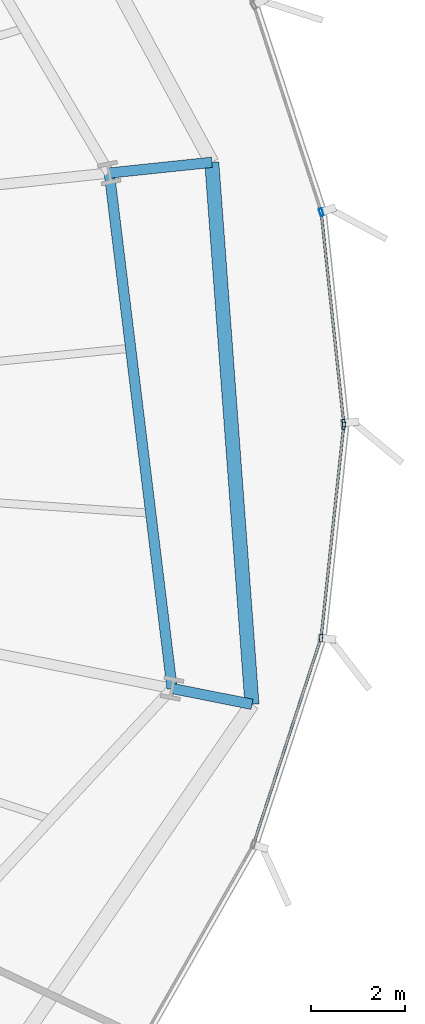
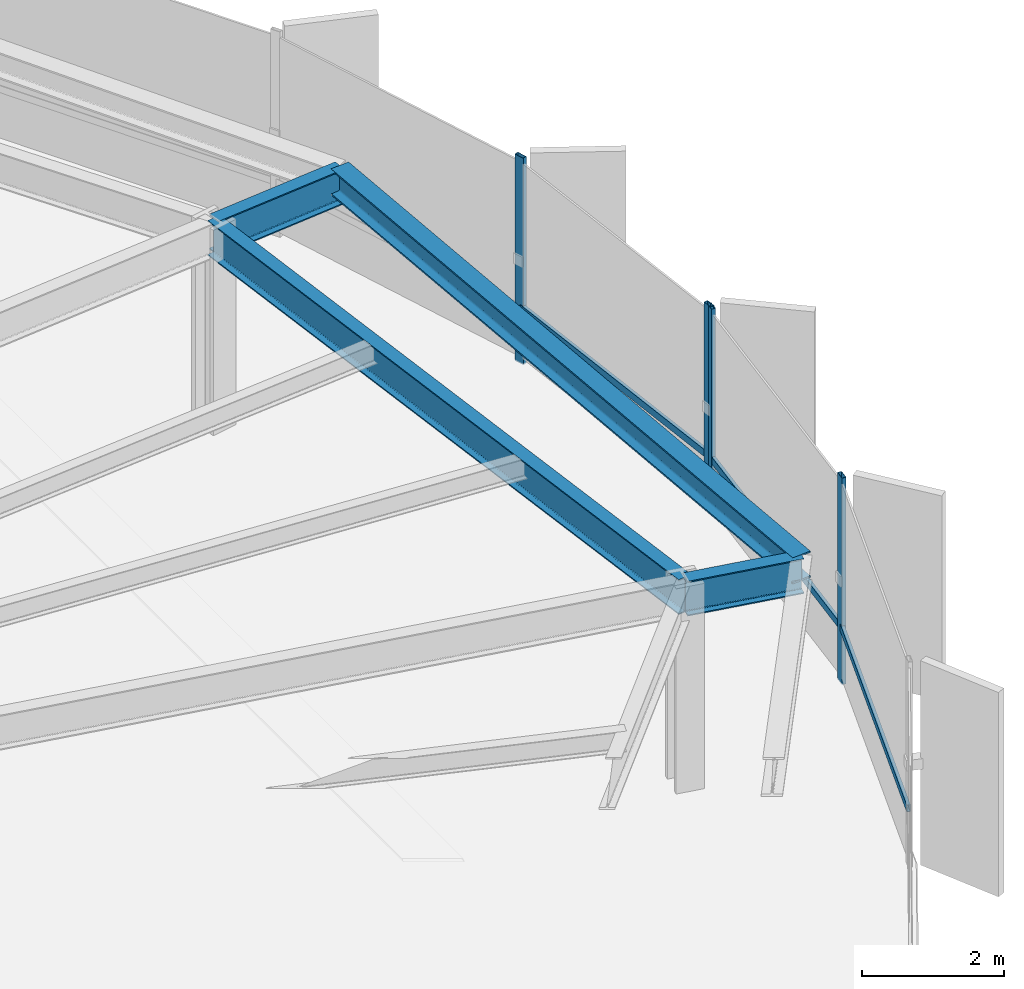
# One storey, part 24 of 38: 7 members, 4 beams, 2 elements without a shape of their own.
"""IFC4 building model written with IfcOpenShell, lengths in metres."""

from ifc_helpers import new_model, si_unit, direction, frame, origin, origin_2d, place, context, subcontext, project, spatial, hollow_rectangle, i_section, extrude, source, transform, mapped, material, layer, layer_set, material_profile, profile_set, type_object, element, aggregate, save


model = new_model("IFC4")

# Units and contexts
model_context = context("Model", 3, precision=1e-05, world=origin(), true_north=direction((0.0, 1.0)))
body_context = subcontext(model_context, "Body", "Model", "MODEL_VIEW")
ifc_project = project(units=[si_unit("LENGTHUNIT", "METRE"), si_unit("AREAUNIT", "SQUARE_METRE"), si_unit("VOLUMEUNIT", "CUBIC_METRE"), si_unit("PLANEANGLEUNIT", "RADIAN"), si_unit("MASSUNIT", "GRAM", prefix="KILO"), si_unit("THERMODYNAMICTEMPERATUREUNIT", "KELVIN")], contexts=[model_context])

# Site, building, storey
site_placement = place(None, origin())
site = spatial("IfcSite", under=ifc_project, at=site_placement, CompositionType="ELEMENT")
building_placement = place(site_placement, origin())
building = spatial("IfcBuilding", under=site, at=building_placement, Name="Kethvar Cultural Tower", CompositionType="ELEMENT")
storey_placement = place(building_placement, frame((0.0, 0.0, 29.60009765625)))
storey = spatial("IfcBuildingStorey", under=building, at=storey_placement, Name="L06", CompositionType="ELEMENT", Elevation=29.60009765625)

# Beams
ifc_material_1 = material(Name="Steel S355J2", Category="steel")
ifc_material_profile_1 = material_profile(ifc_material_1, i_section(OverallWidth=0.219970703125, OverallDepth=0.60009765625, WebThickness=0.011962890625, FlangeThickness=0.01904296875, FilletRadius=0.02392578125, at=origin_2d()), Name="Steel S355J2 — IPE600")
ifc_profile_set_1 = profile_set([ifc_material_profile_1], Name="Steel S355J2 — IPE600")
beam_type_1 = type_object("IfcBeamType", Name="BM-IPE600", PredefinedType="BEAM", material=ifc_profile_set_1)
shared_shape_1 = source(origin(), body_context, "Body", "SweptSolid", [
    extrude(i_section(OverallWidth=0.219970703125, OverallDepth=0.60009765625, WebThickness=0.011962890625, FlangeThickness=0.01904296875, FilletRadius=0.02392578125, at=origin_2d()), origin(), (0.0, 0.0, 1.0), 2.189453125),
])
beam_1_placement = place(storey_placement, frame((73.65673828125, 33.14208984375, 3.247802734375), z_axis=(0.994549966303, 0.104261040307, 0.0), x_axis=(-0.104261040307, 0.994549966303, 0.0)))
element("IfcBeam", 1, at=beam_1_placement, inside=storey, type_object=beam_type_1, Name="L06 Perimeter Cantilever Beam RC-01", PredefinedType="BEAM", context=body_context, shape_type="MappedRepresentation", body=[
    mapped(shared_shape_1, transform((0.0, 0.0, 0.0), scale=1.0)),
])
shared_shape_2 = source(origin(), body_context, "Body", "SweptSolid", [
    extrude(i_section(OverallWidth=0.219970703125, OverallDepth=0.60009765625, WebThickness=0.011962890625, FlangeThickness=0.01904296875, FilletRadius=0.02392578125, at=origin_2d()), origin(), (0.0, 0.0, 1.0), 1.72998046875),
])
beam_2_placement = place(storey_placement, frame((74.9912109375, 22.1923828125, 3.247802734375), z_axis=(0.98079718542, -0.195030461907, 0.0), x_axis=(0.195030461907, 0.98079718542, 0.0)))
element("IfcBeam", 2, at=beam_2_placement, inside=storey, type_object=beam_type_1, Name="L06 Perimeter Cantilever Beam RC-16", PredefinedType="BEAM", context=body_context, shape_type="MappedRepresentation", body=[
    mapped(shared_shape_2, transform((0.0, 0.0, 0.0), scale=1.0)),
])
shared_shape_3 = source(origin(), body_context, "Body", "SweptSolid", [
    extrude(i_section(OverallWidth=0.219970703125, OverallDepth=0.60009765625, WebThickness=0.011962890625, FlangeThickness=0.01904296875, FilletRadius=0.02392578125, at=origin_2d()), origin(), (0.0, 0.0, 1.0), 11.03076171875),
])
beam_3_placement = place(storey_placement, frame((74.9912109375, 22.1923828125, 3.247802734375), z_axis=(-0.120977779442, 0.992655215511, 0.0), x_axis=(-0.992655215511, -0.120977779442, 0.0)))
element("IfcBeam", 3, at=beam_3_placement, inside=storey, type_object=beam_type_1, Name="L06 Column Ring Tie Beam CR-16", PredefinedType="BEAM", context=body_context, shape_type="MappedRepresentation", body=[
    mapped(shared_shape_3, transform((0.0, 0.0, 0.0), scale=1.0)),
])
ifc_material_profile_2 = material_profile(ifc_material_1, i_section(OverallWidth=0.300048828125, OverallDepth=0.449951171875, WebThickness=0.013916015625, FlangeThickness=0.02587890625, FilletRadius=0.027099609375, at=origin_2d()), Name="Steel S355J2 — HEB450")
ifc_profile_set_2 = profile_set([ifc_material_profile_2], Name="Steel S355J2 — HEB450")
beam_type_2 = type_object("IfcBeamType", Name="BM-SP450", PredefinedType="SPANDREL", material=ifc_profile_set_2)
shared_shape_4 = source(origin(), body_context, "Body", "SweptSolid", [
    extrude(i_section(OverallWidth=0.300048828125, OverallDepth=0.449951171875, WebThickness=0.013916015625, FlangeThickness=0.02587890625, FilletRadius=0.027099609375, at=origin_2d()), origin(), (0.0, 0.0, 1.0), 11.546875),
])
beam_4_placement = place(storey_placement, frame((76.68798828125, 21.85498046875, 3.322998046875), z_axis=(-0.07393788415, 0.997262848645, 0.0), x_axis=(-0.997262848645, -0.07393788415, 0.0)))
element("IfcBeam", 4, at=beam_4_placement, inside=storey, type_object=beam_type_2, Name="L06 Perimeter Spandrel Beam SP-16", PredefinedType="SPANDREL", context=body_context, shape_type="MappedRepresentation", body=[
    mapped(shared_shape_4, transform((0.0, 0.0, 0.0), scale=1.0)),
])

# Curtain wall, members
ifc_material_2 = material(Name="Aluminium 6063-T6", Category="aluminium")
ifc_layer = layer(ifc_material_2, 0.179931640625, Name="Aluminium 6063-T6", Category="aluminium")
ifc_layer_set = layer_set([ifc_layer], Name="Aluminium 6063-T6 (180 mm)")
curtain_wall_type = type_object("IfcCurtainWallType", Name="CW-SYS-02-Z1", PredefinedType="NOTDEFINED", material=ifc_layer_set)
curtain_wall_1_placement = place(storey_placement, origin())
curtain_wall_1 = element("IfcCurtainWall", 5, at=curtain_wall_1_placement, inside=storey, type_object=curtain_wall_type, Name="L06 Curtain Wall Run 01", PredefinedType="NOTDEFINED")
ifc_material_profile_3 = material_profile(ifc_material_2, hollow_rectangle(XDim=0.06494140625, YDim=0.159912109375, WallThickness=0.0048828125, at=origin_2d()), Name="Aluminium 6063-T6 — RHS160x65x5")
ifc_profile_set_3 = profile_set([ifc_material_profile_3], Name="Aluminium 6063-T6 — RHS160x65x5")
member_type_1 = type_object("IfcMemberType", Name="CW-SYS-02-Z1-MUL", PredefinedType="MULLION", material=ifc_profile_set_3)
shared_shape_5 = source(origin(), body_context, "Body", "SweptSolid", [
    extrude(hollow_rectangle(XDim=0.06494140625, YDim=0.159912109375, WallThickness=0.0048828125, at=origin_2d()), origin(), (0.0, 0.0, 1.0), 3.5498046875),
])
member_1_placement = place(storey_placement, frame((78.63623046875, 27.829345703125, 0.0), z_axis=(0.0, 0.0, 1.0), x_axis=(-0.994354623787, -0.106107879787, 0.0)))
member_1 = element("IfcMember", 6, at=member_1_placement, type_object=member_type_1, Name="CW-L06-R01 Mullion 1", PredefinedType="MULLION", context=body_context, shape_type="MappedRepresentation", body=[
    mapped(shared_shape_5, transform((0.0, 0.0, 0.0), scale=1.0)),
])
member_2_placement = place(storey_placement, frame((78.160400390625, 32.312255859375, 0.0), z_axis=(0.0, 0.0, 1.0), x_axis=(-0.950510309156, -0.310693019213, 0.0)))
member_2 = element("IfcMember", 7, at=member_2_placement, type_object=member_type_1, Name="CW-L06-R01 Mullion 2", PredefinedType="MULLION", context=body_context, shape_type="MappedRepresentation", body=[
    mapped(shared_shape_5, transform((0.0, 0.0, 0.0), scale=1.0)),
])

curtain_wall_2_placement = place(storey_placement, origin())
curtain_wall_2 = element("IfcCurtainWall", 8, at=curtain_wall_2_placement, inside=storey, type_object=curtain_wall_type, Name="L06 Curtain Wall Run 06", PredefinedType="NOTDEFINED")
member_3_placement = place(storey_placement, frame((78.1552734375, 23.26318359375, 0.0), z_axis=(0.0, 0.0, 1.0), x_axis=(-0.994354623787, 0.106107879787, 0.0)))
member_3 = element("IfcMember", 9, at=member_3_placement, type_object=member_type_1, Name="CW-L06-R06 Mullion 6", PredefinedType="MULLION", context=body_context, shape_type="MappedRepresentation", body=[
    mapped(shared_shape_5, transform((0.0, 0.0, 0.0), scale=1.0)),
])
member_4_placement = place(storey_placement, frame((78.63623046875, 27.770751953125, 0.0), z_axis=(0.0, 0.0, 1.0), x_axis=(-0.994354623787, 0.106107879787, 0.0)))
member_4 = element("IfcMember", 10, at=member_4_placement, type_object=member_type_1, Name="CW-L06-R06 Mullion 7", PredefinedType="MULLION", context=body_context, shape_type="MappedRepresentation", body=[
    mapped(shared_shape_5, transform((0.0, 0.0, 0.0), scale=1.0)),
])

# Member
ifc_material_profile_4 = material_profile(ifc_material_2, hollow_rectangle(XDim=0.054931640625, YDim=0.1201171875, WallThickness=0.00390625, at=origin_2d()), Name="Aluminium 6063-T6 — RHS120x55x4")
ifc_profile_set_4 = profile_set([ifc_material_profile_4], Name="Aluminium 6063-T6 — RHS120x55x4")
member_type_2 = type_object("IfcMemberType", Name="CW-SYS-02-Z1-TRN", PredefinedType="USERDEFINED", material=ifc_profile_set_4)
shared_shape_6 = source(origin(), body_context, "Body", "SweptSolid", [
    extrude(hollow_rectangle(XDim=0.054931640625, YDim=0.1201171875, WallThickness=0.00390625, at=origin_2d()), origin(), (0.0, 0.0, 1.0), 4.48193359375),
])
member_5_placement = place(storey_placement, frame((78.6357421875, 27.833740234375, 0.949951171875), z_axis=(-0.106113814693, 0.994353990454, 0.0), x_axis=(-0.994353990454, -0.106113814693, 0.0)))
member_5 = element("IfcMember", 11, at=member_5_placement, type_object=member_type_2, Name="CW-L06-R01 Transom 1", ObjectType="TRANSOM", PredefinedType="USERDEFINED", context=body_context, shape_type="MappedRepresentation", body=[
    mapped(shared_shape_6, transform((0.0, 0.0, 0.0), scale=1.0)),
])

aggregate(curtain_wall_1, [member_1, member_2, member_5])

shared_shape_7 = source(origin(), body_context, "Body", "SweptSolid", [
    extrude(hollow_rectangle(XDim=0.054931640625, YDim=0.1201171875, WallThickness=0.00390625, at=origin_2d()), origin(), (0.0, 0.0, 1.0), 4.481689453125),
])
member_6_placement = place(storey_placement, frame((78.16015625, 23.309814453125, 0.949951171875), z_axis=(0.106119562727, 0.994353377028, 0.0), x_axis=(-0.994353377028, 0.106119562727, 0.0)))
member_6 = element("IfcMember", 12, at=member_6_placement, type_object=member_type_2, Name="CW-L06-R06 Transom 6", ObjectType="TRANSOM", PredefinedType="USERDEFINED", context=body_context, shape_type="MappedRepresentation", body=[
    mapped(shared_shape_7, transform((0.0, 0.0, 0.0), scale=1.0)),
])

shared_shape_8 = source(origin(), body_context, "Body", "SweptSolid", [
    extrude(hollow_rectangle(XDim=0.054931640625, YDim=0.1201171875, WallThickness=0.00390625, at=origin_2d()), origin(), (0.0, 0.0, 1.0), 4.54736328125),
])
member_7_placement = place(storey_placement, frame((76.733154296875, 18.9208984375, 0.949951171875), z_axis=(0.310697813498, 0.950508742036, 0.0), x_axis=(-0.950508742036, 0.310697813498, 0.0)))
member_7 = element("IfcMember", 13, at=member_7_placement, type_object=member_type_2, Name="CW-L06-R06 Transom 5", ObjectType="TRANSOM", PredefinedType="USERDEFINED", context=body_context, shape_type="MappedRepresentation", body=[
    mapped(shared_shape_8, transform((0.0, 0.0, 0.0), scale=1.0)),
])

aggregate(curtain_wall_2, [member_3, member_4, member_7, member_6])

save(model, "model.ifc")
